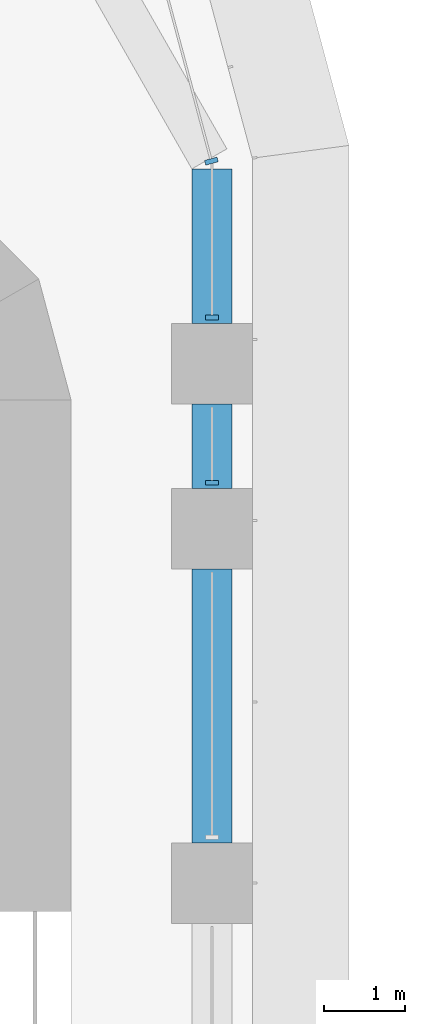
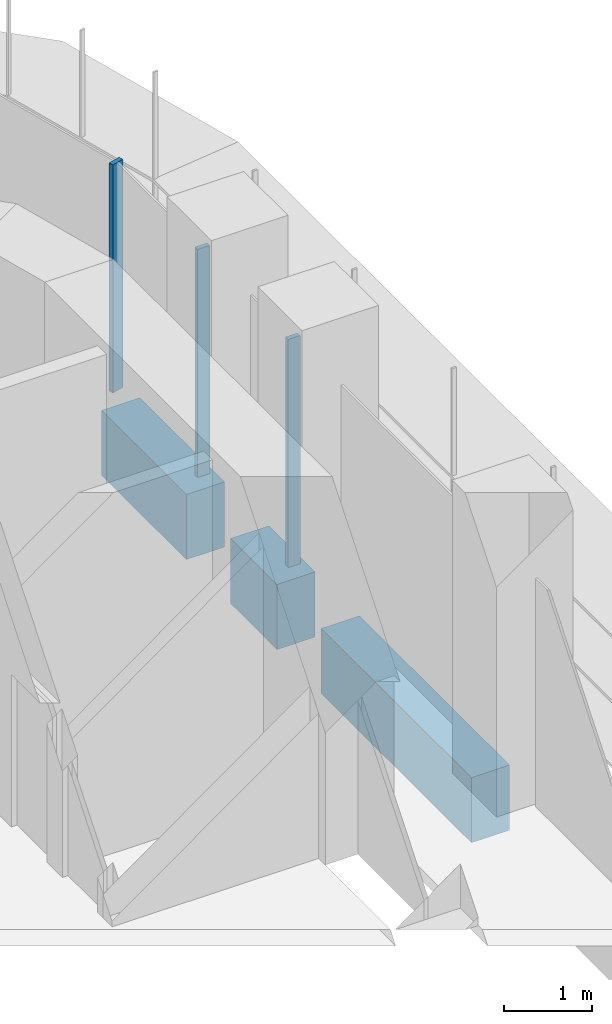
# One storey, part 10 of 23: 3 beams, 3 members, 2 elements without a shape of their own.
"""IFC4 building model written with IfcOpenShell, lengths in metres."""

from ifc_helpers import new_model, si_unit, direction, frame, origin, origin_2d, place, context, subcontext, project, spatial, polyline, rectangle, outline, extrude, source, transform, mapped, material, material_profile, profile_set, type_object, element, aggregate, save


model = new_model("IFC4")

# Units and contexts
model_context = context("Model", 3, precision=1e-05, world=origin(), true_north=direction((0.0, 1.0)))
body_context = subcontext(model_context, "Body", "Model", "MODEL_VIEW")
ifc_project = project(units=[si_unit("LENGTHUNIT", "METRE"), si_unit("AREAUNIT", "SQUARE_METRE"), si_unit("VOLUMEUNIT", "CUBIC_METRE"), si_unit("PLANEANGLEUNIT", "RADIAN"), si_unit("MASSUNIT", "GRAM", prefix="KILO")], contexts=[model_context])

# Site, building, storey
site_placement = place(None, origin())
site = spatial("IfcSite", under=ifc_project, at=site_placement, CompositionType="ELEMENT")
building_placement = place(site_placement, origin())
building = spatial("IfcBuilding", under=site, at=building_placement, Name="Zarbagh Exchange Tower", CompositionType="ELEMENT")
storey_placement = place(building_placement, frame((0.0, 0.0, 43.800048828125)))
storey = spatial("IfcBuildingStorey", under=building, at=storey_placement, Name="L09", CompositionType="ELEMENT", Elevation=43.800048828125)

# Beams
ifc_material_1 = material(Name="Concrete C60/75", Category="concrete")
ifc_material_profile = material_profile(ifc_material_1, rectangle(XDim=0.5, YDim=0.89990234375, at=origin_2d()), Name="RC spandrel beam 500 x 900 C60/75")
ifc_profile_set = profile_set([ifc_material_profile], Name="Concrete C60/75")
beam_type = type_object("IfcBeamType", Name="RC spandrel beam 500 x 900 C60/75", PredefinedType="SPANDREL", material=ifc_profile_set)
beam_1_placement = place(storey_placement, frame((6.25, 29.117919921875, -0.60009765625), z_axis=(0.0, -1.0, 0.0), x_axis=(1.0, 0.0, 0.0)))
element("IfcBeam", 1, at=beam_1_placement, inside=storey, type_object=beam_type, Name="RC spandrel beam", PredefinedType="SPANDREL", context=body_context, shape_type="SweptSolid", body=[
    extrude(rectangle(XDim=0.5, YDim=0.89990234375, at=origin_2d()), origin(), (0.0, 0.0, 1.0), 1.91796875),
])
beam_2_placement = place(storey_placement, frame((6.25, 26.199951171875, -0.60009765625), z_axis=(0.0, -1.0, 0.0), x_axis=(1.0, 0.0, 0.0)))
element("IfcBeam", 2, at=beam_2_placement, inside=storey, type_object=beam_type, Name="RC spandrel beam", PredefinedType="SPANDREL", context=body_context, shape_type="SweptSolid", body=[
    extrude(rectangle(XDim=0.5, YDim=0.89990234375, at=origin_2d()), origin(), (0.0, 0.0, 1.0), 1.050048828125),
])
beam_3_placement = place(storey_placement, frame((6.25, 24.14990234375, -0.60009765625), z_axis=(0.0, -1.0, 0.0), x_axis=(1.0, 0.0, 0.0)))
element("IfcBeam", 3, at=beam_3_placement, inside=storey, type_object=beam_type, Name="RC spandrel beam", PredefinedType="SPANDREL", context=body_context, shape_type="SweptSolid", body=[
    extrude(rectangle(XDim=0.5, YDim=0.89990234375, at=origin_2d()), origin(), (0.0, 0.0, 1.0), 3.39990234375),
])

# Curtain wall, members
ifc_material_2 = material(Name="Anodised aluminium frame and glazing", Category="aluminium")
curtain_wall_type = type_object("IfcCurtainWallType", Name="CWA Ribbon glazing, lower zones", PredefinedType="NOTDEFINED", material=ifc_material_2)
curtain_wall_1_placement = place(storey_placement, origin())
curtain_wall_1 = element("IfcCurtainWall", 4, at=curtain_wall_1_placement, inside=storey, type_object=curtain_wall_type, Name="CWA20 curtain wall", PredefinedType="NOTDEFINED")
ifc_material_3 = material(Name="Anodised aluminium frame", Category="aluminium")
member_type = type_object("IfcMemberType", Name="MUA Mullion, anodised aluminium frame", PredefinedType="MULLION", material=ifc_material_3)
shared_shape = source(origin(), body_context, "Body", "SweptSolid", [
    extrude(outline(polyline([(0.0, -0.080078125), (0.06005859375, -0.080078125), (0.06005859375, 0.080078125), (0.0, 0.080078125), (0.0, -0.080078125)])), origin(), (0.0, 0.0, 1.0), 3.14990234375),
])
placement = place(storey_placement, origin())
member_1 = element("IfcMember", 5, at=placement, type_object=member_type, Name="CWA20 mullion 4.1", PredefinedType="MULLION", context=body_context, shape_type="MappedRepresentation", body=[
    mapped(shared_shape, transform((6.25, 25.18994140625, 0.0), x_axis=(0.0, 1.0, 0.0), y_axis=(-1.0, 0.0, 0.0), z_axis=(0.0, 0.0, 1.0))),
])
member_2 = element("IfcMember", 6, at=placement, type_object=member_type, Name="CWA20 mullion 5.1", PredefinedType="MULLION", context=body_context, shape_type="MappedRepresentation", body=[
    mapped(shared_shape, transform((6.25, 27.239990234375, 0.0), x_axis=(0.0, 1.0, 0.0), y_axis=(-1.0, 0.0, 0.0), z_axis=(0.0, 0.0, 1.0))),
])
aggregate(curtain_wall_1, [member_1, member_2])

# Curtain wall, member
curtain_wall_2_placement = place(storey_placement, origin())
curtain_wall_2 = element("IfcCurtainWall", 7, at=curtain_wall_2_placement, inside=storey, type_object=curtain_wall_type, Name="CWA21 curtain wall", PredefinedType="NOTDEFINED")
member_3 = element("IfcMember", 8, at=placement, type_object=member_type, Name="CWA21 mullion 1.1", PredefinedType="MULLION", context=body_context, shape_type="MappedRepresentation", body=[
    mapped(shared_shape, transform((6.25, 29.18408203125, 0.0), x_axis=(-0.258824779902, 0.965924289636, 0.0), y_axis=(-0.965924289636, -0.258824779902, 0.0), z_axis=(0.0, 0.0, 1.0))),
])
aggregate(curtain_wall_2, [member_3])

save(model, "model.ifc")
